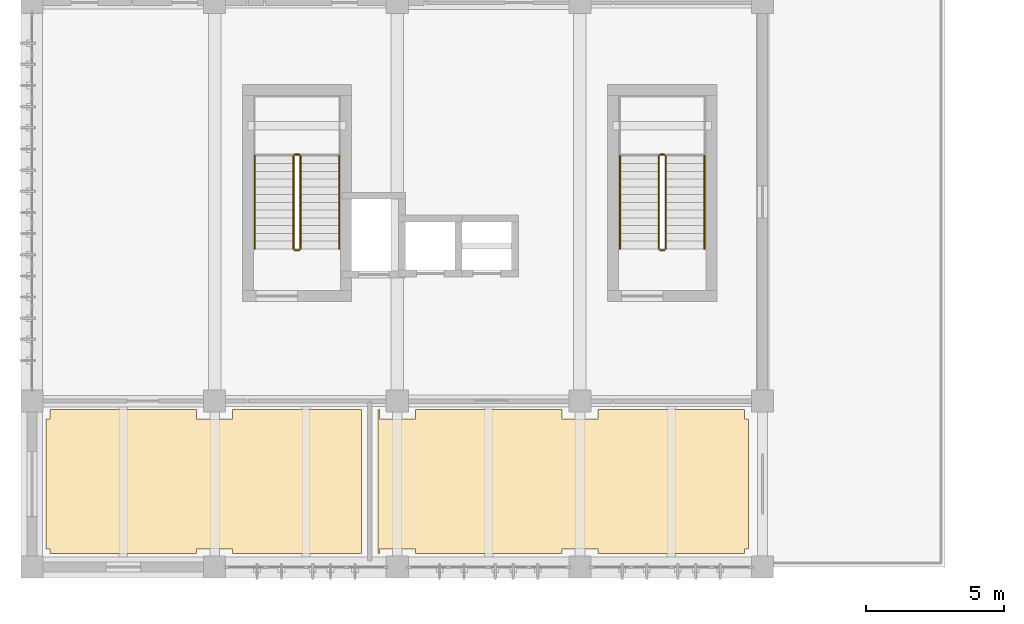
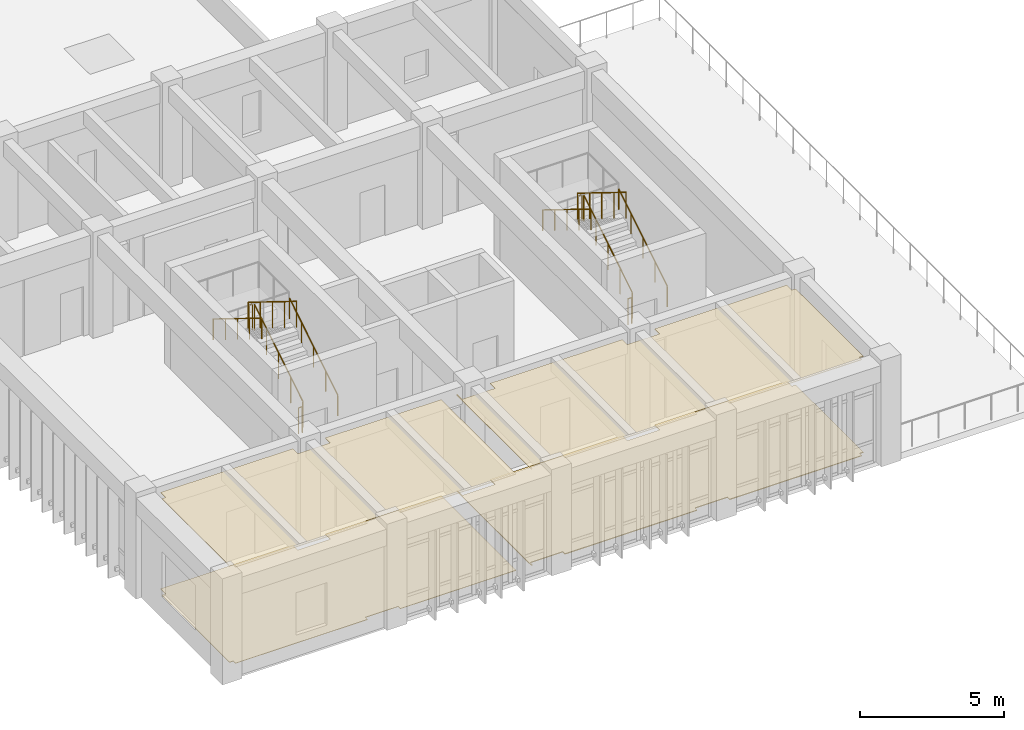
# One storey, part 17 of 18: 12 railings, 4 coverings.
"""IFC4 building model written with IfcOpenShell, lengths in metres."""

from ifc_helpers import new_model, si_unit, direction, frame, origin, origin_2d, place, context, subcontext, project, spatial, polyline, circle, outline, extrude, material, layer, layer_set, type_object, element, save


model = new_model("IFC4")

# Units and contexts
model_context = context("Model", 3, precision=1e-05, world=origin(), true_north=direction((0.0, 1.0)))
body_context = subcontext(model_context, "Body", "Model", "MODEL_VIEW")
ifc_project = project(units=[si_unit("LENGTHUNIT", "METRE"), si_unit("AREAUNIT", "SQUARE_METRE"), si_unit("VOLUMEUNIT", "CUBIC_METRE"), si_unit("PLANEANGLEUNIT", "RADIAN"), si_unit("MASSUNIT", "GRAM", prefix="KILO")], contexts=[model_context])

# Site, building, storey
site_placement = place(None, origin())
site = spatial("IfcSite", under=ifc_project, at=site_placement, CompositionType="ELEMENT")
building_placement = place(site_placement, origin())
building = spatial("IfcBuilding", under=site, at=building_placement, Name="Miralva Faculty of Natural Sciences", CompositionType="ELEMENT")
storey_placement = place(building_placement, frame((0.0, 0.0, 28.5)))
storey = spatial("IfcBuildingStorey", under=building, at=storey_placement, Name="L06", CompositionType="ELEMENT", Elevation=28.5)

# Coverings
ifc_material_1 = material(Name="Acoustic mineral-fibre board")
ifc_layer_1 = layer(ifc_material_1, 0.02197265625, Name="COV-CL01")
ifc_layer_set_1 = layer_set([ifc_layer_1], Name="Acoustic mineral-fibre board")
covering_type_1 = type_object("IfcCoveringType", Name="COV-CL01", PredefinedType="CEILING", material=ifc_layer_set_1)
covering_1_placement = place(storey_placement, frame((0.0, 0.0, 4.077880859375)))
element("IfcCovering", 1, at=covering_1_placement, inside=storey, type_object=covering_type_1, Name="Suspended acoustic ceiling L06-02", PredefinedType="CEILING", context=body_context, shape_type="SweptSolid", body=[
    extrude(outline(polyline([(15.5, 3.5), (15.5, 8.699951171875), (15.550048828125, 8.699951171875), (15.550048828125, 8.35009765625), (16.85009765625, 8.35009765625), (16.85009765625, 8.699951171875), (22.14990234375, 8.699951171875), (22.14990234375, 8.35009765625), (23.449951171875, 8.35009765625), (23.449951171875, 8.699951171875), (28.75, 8.699951171875), (28.75, 8.35009765625), (28.89990234375, 8.35009765625), (28.89990234375, 3.64990234375), (28.75, 3.64990234375), (28.75, 3.5), (23.449951171875, 3.5), (23.449951171875, 3.64990234375), (22.14990234375, 3.64990234375), (22.14990234375, 3.5), (16.85009765625, 3.5), (16.85009765625, 3.64990234375), (15.550048828125, 3.64990234375), (15.550048828125, 3.5), (15.5, 3.5)])), origin(), (0.0, 0.0, 1.0), 0.022216796875),
])
ifc_material_2 = material(Name="Gypsum plasterboard")
ifc_layer_2 = layer(ifc_material_2, 0.028076171875, Name="COV-CL02")
ifc_layer_set_2 = layer_set([ifc_layer_2], Name="Gypsum plasterboard")
covering_type_2 = type_object("IfcCoveringType", Name="COV-CL02", PredefinedType="CEILING", material=ifc_layer_set_2)
covering_2_placement = place(storey_placement, frame((0.0, 0.0, 4.072021484375)))
element("IfcCovering", 2, at=covering_2_placement, inside=storey, type_object=covering_type_2, Name="Suspended acoustic ceiling L06-01", PredefinedType="CEILING", context=body_context, shape_type="SweptSolid", body=[
    extrude(outline(polyline([(10.25, 3.5), (10.25, 3.64990234375), (8.949951171875, 3.64990234375), (8.949951171875, 3.5), (3.64990234375, 3.5), (3.64990234375, 3.64990234375), (3.5, 3.64990234375), (3.5, 8.35009765625), (3.64990234375, 8.35009765625), (3.64990234375, 8.699951171875), (8.949951171875, 8.699951171875), (8.949951171875, 8.35009765625), (10.25, 8.35009765625), (10.25, 8.699951171875), (14.89990234375, 8.699951171875), (14.89990234375, 3.5), (10.25, 3.5)])), origin(), (0.0, 0.0, 1.0), 0.028076171875),
])
ifc_material_3 = material(Name="Polished terrazzo flooring")
ifc_layer_3 = layer(ifc_material_3, 0.030029296875, Name="COV-FL01")
ifc_layer_set_3 = layer_set([ifc_layer_3], Name="Polished terrazzo flooring")
covering_type_3 = type_object("IfcCoveringType", Name="COV-FL01", PredefinedType="FLOORING", material=ifc_layer_set_3)
covering_3_placement = place(storey_placement, origin())
element("IfcCovering", 3, at=covering_3_placement, inside=storey, type_object=covering_type_3, Name="Finished flooring L06-02", PredefinedType="FLOORING", context=body_context, shape_type="SweptSolid", body=[
    extrude(outline(polyline([(15.5, 3.5), (15.5, 8.699951171875), (15.550048828125, 8.699951171875), (15.550048828125, 8.35009765625), (16.85009765625, 8.35009765625), (16.85009765625, 8.699951171875), (22.14990234375, 8.699951171875), (22.14990234375, 8.35009765625), (23.449951171875, 8.35009765625), (23.449951171875, 8.699951171875), (28.75, 8.699951171875), (28.75, 8.35009765625), (28.89990234375, 8.35009765625), (28.89990234375, 3.64990234375), (28.75, 3.64990234375), (28.75, 3.5), (23.449951171875, 3.5), (23.449951171875, 3.64990234375), (22.14990234375, 3.64990234375), (22.14990234375, 3.5), (16.85009765625, 3.5), (16.85009765625, 3.64990234375), (15.550048828125, 3.64990234375), (15.550048828125, 3.5), (15.5, 3.5)])), origin(), (0.0, 0.0, 1.0), 0.030029296875),
])
ifc_layer_4 = layer(ifc_material_3, 0.01806640625, Name="COV-FL02")
ifc_layer_set_4 = layer_set([ifc_layer_4], Name="Polished terrazzo flooring")
covering_type_4 = type_object("IfcCoveringType", Name="COV-FL02", PredefinedType="FLOORING", material=ifc_layer_set_4)
covering_4_placement = place(storey_placement, origin())
element("IfcCovering", 4, at=covering_4_placement, inside=storey, type_object=covering_type_4, Name="Finished flooring L06-01", PredefinedType="FLOORING", context=body_context, shape_type="SweptSolid", body=[
    extrude(outline(polyline([(10.25, 3.5), (10.25, 3.64990234375), (8.949951171875, 3.64990234375), (8.949951171875, 3.5), (3.64990234375, 3.5), (3.64990234375, 3.64990234375), (3.5, 3.64990234375), (3.5, 8.35009765625), (3.64990234375, 8.35009765625), (3.64990234375, 8.699951171875), (8.949951171875, 8.699951171875), (8.949951171875, 8.35009765625), (10.25, 8.35009765625), (10.25, 8.699951171875), (14.89990234375, 8.699951171875), (14.89990234375, 3.5), (10.25, 3.5)])), origin(), (0.0, 0.0, 1.0), 0.01806640625),
])

# Railings
ifc_material_4 = material(Name="Steel S355", Category="steel")
railing_type_1 = type_object("IfcRailingType", Name="RL-GR01", PredefinedType="GUARDRAIL", material=ifc_material_4)
railing_1_placement = place(storey_placement, frame((12.699951171875, 14.5, 0.173095703125)))
element("IfcRailing", 5, at=railing_1_placement, inside=storey, type_object=railing_type_1, Name="Stair Core C1 safety guard L06-1", PredefinedType="GUARDRAIL", context=body_context, shape_type="SweptSolid", body=[
    extrude(circle(Radius=0.02392578125, at=origin_2d()), frame((0.0, 0.0, 1.09619140625), z_axis=(0.0, 0.850623216509, 0.525775754039), x_axis=(-1.0, 0.0, 0.0)), (0.0, 0.0, 1.0), 3.9501953125),
    extrude(circle(Radius=0.02099609375, at=origin_2d()), origin(), (0.0, 0.0, 1.0), 1.072021484375),
    extrude(circle(Radius=0.02099609375, at=origin_2d()), frame((0.0, 0.840087890625, 0.519287109375)), (0.0, 0.0, 1.0), 1.072021484375),
    extrude(circle(Radius=0.02099609375, at=origin_2d()), frame((0.0, 1.68017578125, 1.03857421875)), (0.0, 0.0, 1.0), 1.072021484375),
    extrude(circle(Radius=0.02099609375, at=origin_2d()), frame((0.0, 2.52001953125, 1.5576171875)), (0.0, 0.0, 1.0), 1.072021484375),
    extrude(circle(Radius=0.02099609375, at=origin_2d()), frame((0.0, 3.360107421875, 2.076904296875)), (0.0, 0.0, 1.0), 1.072021484375),
])
railing_2_placement = place(storey_placement, frame((12.64990234375, 17.909912109375, 2.25)))
element("IfcRailing", 6, at=railing_2_placement, inside=storey, type_object=railing_type_1, Name="Stair Core C1 safety guard L06-2", PredefinedType="GUARDRAIL", context=body_context, shape_type="SweptSolid", body=[
    extrude(circle(Radius=0.02392578125, at=origin_2d()), frame((0.0, 0.0, 1.09619140625), z_axis=(-1.0, 0.0, 0.0), x_axis=(0.0, -1.0, 0.0)), (0.0, 0.0, 1.0), 0.14990234375),
    extrude(circle(Radius=0.02099609375, at=origin_2d()), origin(), (0.0, 0.0, 1.0), 1.072021484375),
    extrude(circle(Radius=0.02099609375, at=origin_2d()), frame((-0.14990234375, 0.0, 0.0)), (0.0, 0.0, 1.0), 1.072021484375),
])
railing_3_placement = place(storey_placement, frame((12.449951171875, 17.860107421875, 2.423095703125)))
element("IfcRailing", 7, at=railing_3_placement, inside=storey, type_object=railing_type_1, Name="Stair Core C1 safety guard L06-3", PredefinedType="GUARDRAIL", context=body_context, shape_type="SweptSolid", body=[
    extrude(circle(Radius=0.02392578125, at=origin_2d()), frame((0.0, 0.0, 1.09619140625), z_axis=(0.0, -0.850623216509, 0.525775754039), x_axis=(1.0, 0.0, 0.0)), (0.0, 0.0, 1.0), 3.9501953125),
    extrude(circle(Radius=0.02099609375, at=origin_2d()), origin(), (0.0, 0.0, 1.0), 1.072021484375),
    extrude(circle(Radius=0.02099609375, at=origin_2d()), frame((0.0, -0.840087890625, 0.519287109375)), (0.0, 0.0, 1.0), 1.072021484375),
    extrude(circle(Radius=0.02099609375, at=origin_2d()), frame((0.0, -1.68017578125, 1.03857421875)), (0.0, 0.0, 1.0), 1.072021484375),
    extrude(circle(Radius=0.02099609375, at=origin_2d()), frame((0.0, -2.52001953125, 1.5576171875)), (0.0, 0.0, 1.0), 1.072021484375),
    extrude(circle(Radius=0.02099609375, at=origin_2d()), frame((0.0, -3.360107421875, 2.076904296875)), (0.0, 0.0, 1.0), 1.072021484375),
])
railing_4_placement = place(storey_placement, frame((12.64990234375, 14.449951171875, 0.0)))
element("IfcRailing", 8, at=railing_4_placement, inside=storey, type_object=railing_type_1, Name="Stair Core C1 safety guard L06-4", PredefinedType="GUARDRAIL", context=body_context, shape_type="SweptSolid", body=[
    extrude(circle(Radius=0.02392578125, at=origin_2d()), frame((0.0, 0.0, 1.09619140625), z_axis=(-1.0, 0.0, 0.0), x_axis=(0.0, -1.0, 0.0)), (0.0, 0.0, 1.0), 0.14990234375),
    extrude(circle(Radius=0.02099609375, at=origin_2d()), origin(), (0.0, 0.0, 1.0), 1.072021484375),
    extrude(circle(Radius=0.02099609375, at=origin_2d()), frame((-0.14990234375, 0.0, 0.0)), (0.0, 0.0, 1.0), 1.072021484375),
])
railing_5_placement = place(storey_placement, frame((25.89990234375, 14.5, 0.173095703125)))
element("IfcRailing", 9, at=railing_5_placement, inside=storey, type_object=railing_type_1, Name="Stair Core C1B safety guard L06-1", PredefinedType="GUARDRAIL", context=body_context, shape_type="SweptSolid", body=[
    extrude(circle(Radius=0.02392578125, at=origin_2d()), frame((0.0, 0.0, 1.09619140625), z_axis=(0.0, 0.850623216509, 0.525775754039), x_axis=(-1.0, 0.0, 0.0)), (0.0, 0.0, 1.0), 3.9501953125),
    extrude(circle(Radius=0.02099609375, at=origin_2d()), origin(), (0.0, 0.0, 1.0), 1.072021484375),
    extrude(circle(Radius=0.02099609375, at=origin_2d()), frame((0.0, 0.840087890625, 0.519287109375)), (0.0, 0.0, 1.0), 1.072021484375),
    extrude(circle(Radius=0.02099609375, at=origin_2d()), frame((0.0, 1.68017578125, 1.03857421875)), (0.0, 0.0, 1.0), 1.072021484375),
    extrude(circle(Radius=0.02099609375, at=origin_2d()), frame((0.0, 2.52001953125, 1.5576171875)), (0.0, 0.0, 1.0), 1.072021484375),
    extrude(circle(Radius=0.02099609375, at=origin_2d()), frame((0.0, 3.360107421875, 2.076904296875)), (0.0, 0.0, 1.0), 1.072021484375),
])
railing_6_placement = place(storey_placement, frame((25.85009765625, 17.909912109375, 2.25)))
element("IfcRailing", 10, at=railing_6_placement, inside=storey, type_object=railing_type_1, Name="Stair Core C1B safety guard L06-2", PredefinedType="GUARDRAIL", context=body_context, shape_type="SweptSolid", body=[
    extrude(circle(Radius=0.02392578125, at=origin_2d()), frame((0.0, 0.0, 1.09619140625), z_axis=(-1.0, 0.0, 0.0), x_axis=(0.0, -1.0, 0.0)), (0.0, 0.0, 1.0), 0.150146484375),
    extrude(circle(Radius=0.02099609375, at=origin_2d()), origin(), (0.0, 0.0, 1.0), 1.072021484375),
    extrude(circle(Radius=0.02099609375, at=origin_2d()), frame((-0.150146484375, 0.0, 0.0)), (0.0, 0.0, 1.0), 1.072021484375),
])
railing_7_placement = place(storey_placement, frame((25.64990234375, 17.860107421875, 2.423095703125)))
element("IfcRailing", 11, at=railing_7_placement, inside=storey, type_object=railing_type_1, Name="Stair Core C1B safety guard L06-3", PredefinedType="GUARDRAIL", context=body_context, shape_type="SweptSolid", body=[
    extrude(circle(Radius=0.02392578125, at=origin_2d()), frame((0.0, 0.0, 1.09619140625), z_axis=(0.0, -0.850623216509, 0.525775754039), x_axis=(1.0, 0.0, 0.0)), (0.0, 0.0, 1.0), 3.9501953125),
    extrude(circle(Radius=0.02099609375, at=origin_2d()), origin(), (0.0, 0.0, 1.0), 1.072021484375),
    extrude(circle(Radius=0.02099609375, at=origin_2d()), frame((0.0, -0.840087890625, 0.519287109375)), (0.0, 0.0, 1.0), 1.072021484375),
    extrude(circle(Radius=0.02099609375, at=origin_2d()), frame((0.0, -1.68017578125, 1.03857421875)), (0.0, 0.0, 1.0), 1.072021484375),
    extrude(circle(Radius=0.02099609375, at=origin_2d()), frame((0.0, -2.52001953125, 1.5576171875)), (0.0, 0.0, 1.0), 1.072021484375),
    extrude(circle(Radius=0.02099609375, at=origin_2d()), frame((0.0, -3.360107421875, 2.076904296875)), (0.0, 0.0, 1.0), 1.072021484375),
])
railing_8_placement = place(storey_placement, frame((25.85009765625, 14.449951171875, 0.0)))
element("IfcRailing", 12, at=railing_8_placement, inside=storey, type_object=railing_type_1, Name="Stair Core C1B safety guard L06-4", PredefinedType="GUARDRAIL", context=body_context, shape_type="SweptSolid", body=[
    extrude(circle(Radius=0.02392578125, at=origin_2d()), frame((0.0, 0.0, 1.09619140625), z_axis=(-1.0, 0.0, 0.0), x_axis=(0.0, -1.0, 0.0)), (0.0, 0.0, 1.0), 0.150146484375),
    extrude(circle(Radius=0.02099609375, at=origin_2d()), origin(), (0.0, 0.0, 1.0), 1.072021484375),
    extrude(circle(Radius=0.02099609375, at=origin_2d()), frame((-0.150146484375, 0.0, 0.0)), (0.0, 0.0, 1.0), 1.072021484375),
])
railing_type_2 = type_object("IfcRailingType", Name="RL-HR01", PredefinedType="HANDRAIL", material=ifc_material_4)
railing_9_placement = place(storey_placement, frame((14.10009765625, 14.5, 0.173095703125)))
element("IfcRailing", 13, at=railing_9_placement, inside=storey, type_object=railing_type_2, Name="Stair Core C1 handrail L06-1", PredefinedType="HANDRAIL", context=body_context, shape_type="SweptSolid", body=[
    extrude(circle(Radius=0.02392578125, at=origin_2d()), frame((0.0, 0.0, 0.8759765625), z_axis=(0.0, 0.850623216509, 0.525775754039), x_axis=(-1.0, 0.0, 0.0)), (0.0, 0.0, 1.0), 3.9501953125),
    extrude(circle(Radius=0.02099609375, at=origin_2d()), origin(), (0.0, 0.0, 1.0), 0.851806640625),
    extrude(circle(Radius=0.02099609375, at=origin_2d()), frame((0.0, 0.840087890625, 0.519287109375)), (0.0, 0.0, 1.0), 0.851806640625),
    extrude(circle(Radius=0.02099609375, at=origin_2d()), frame((0.0, 1.68017578125, 1.03857421875)), (0.0, 0.0, 1.0), 0.851806640625),
    extrude(circle(Radius=0.02099609375, at=origin_2d()), frame((0.0, 2.52001953125, 1.5576171875)), (0.0, 0.0, 1.0), 0.851806640625),
    extrude(circle(Radius=0.02099609375, at=origin_2d()), frame((0.0, 3.360107421875, 2.076904296875)), (0.0, 0.0, 1.0), 0.851806640625),
])
railing_10_placement = place(storey_placement, frame((11.050048828125, 17.860107421875, 2.423095703125)))
element("IfcRailing", 14, at=railing_10_placement, inside=storey, type_object=railing_type_2, Name="Stair Core C1 handrail L06-2", PredefinedType="HANDRAIL", context=body_context, shape_type="SweptSolid", body=[
    extrude(circle(Radius=0.02392578125, at=origin_2d()), frame((0.0, 0.0, 0.8759765625), z_axis=(0.0, -0.850623216509, 0.525775754039), x_axis=(1.0, 0.0, 0.0)), (0.0, 0.0, 1.0), 3.9501953125),
    extrude(circle(Radius=0.02099609375, at=origin_2d()), origin(), (0.0, 0.0, 1.0), 0.851806640625),
    extrude(circle(Radius=0.02099609375, at=origin_2d()), frame((0.0, -0.840087890625, 0.519287109375)), (0.0, 0.0, 1.0), 0.851806640625),
    extrude(circle(Radius=0.02099609375, at=origin_2d()), frame((0.0, -1.68017578125, 1.03857421875)), (0.0, 0.0, 1.0), 0.851806640625),
    extrude(circle(Radius=0.02099609375, at=origin_2d()), frame((0.0, -2.52001953125, 1.5576171875)), (0.0, 0.0, 1.0), 0.851806640625),
    extrude(circle(Radius=0.02099609375, at=origin_2d()), frame((0.0, -3.360107421875, 2.076904296875)), (0.0, 0.0, 1.0), 0.851806640625),
])
railing_11_placement = place(storey_placement, frame((27.300048828125, 14.5, 0.173095703125)))
element("IfcRailing", 15, at=railing_11_placement, inside=storey, type_object=railing_type_2, Name="Stair Core C1B handrail L06-1", PredefinedType="HANDRAIL", context=body_context, shape_type="SweptSolid", body=[
    extrude(circle(Radius=0.02392578125, at=origin_2d()), frame((0.0, 0.0, 0.8759765625), z_axis=(0.0, 0.850623216509, 0.525775754039), x_axis=(-1.0, 0.0, 0.0)), (0.0, 0.0, 1.0), 3.9501953125),
    extrude(circle(Radius=0.02099609375, at=origin_2d()), origin(), (0.0, 0.0, 1.0), 0.851806640625),
    extrude(circle(Radius=0.02099609375, at=origin_2d()), frame((0.0, 0.840087890625, 0.519287109375)), (0.0, 0.0, 1.0), 0.851806640625),
    extrude(circle(Radius=0.02099609375, at=origin_2d()), frame((0.0, 1.68017578125, 1.03857421875)), (0.0, 0.0, 1.0), 0.851806640625),
    extrude(circle(Radius=0.02099609375, at=origin_2d()), frame((0.0, 2.52001953125, 1.5576171875)), (0.0, 0.0, 1.0), 0.851806640625),
    extrude(circle(Radius=0.02099609375, at=origin_2d()), frame((0.0, 3.360107421875, 2.076904296875)), (0.0, 0.0, 1.0), 0.851806640625),
])
railing_12_placement = place(storey_placement, frame((24.25, 17.860107421875, 2.423095703125)))
element("IfcRailing", 16, at=railing_12_placement, inside=storey, type_object=railing_type_2, Name="Stair Core C1B handrail L06-2", PredefinedType="HANDRAIL", context=body_context, shape_type="SweptSolid", body=[
    extrude(circle(Radius=0.02392578125, at=origin_2d()), frame((0.0, 0.0, 0.8759765625), z_axis=(0.0, -0.850623216509, 0.525775754039), x_axis=(1.0, 0.0, 0.0)), (0.0, 0.0, 1.0), 3.9501953125),
    extrude(circle(Radius=0.02099609375, at=origin_2d()), origin(), (0.0, 0.0, 1.0), 0.851806640625),
    extrude(circle(Radius=0.02099609375, at=origin_2d()), frame((0.0, -0.840087890625, 0.519287109375)), (0.0, 0.0, 1.0), 0.851806640625),
    extrude(circle(Radius=0.02099609375, at=origin_2d()), frame((0.0, -1.68017578125, 1.03857421875)), (0.0, 0.0, 1.0), 0.851806640625),
    extrude(circle(Radius=0.02099609375, at=origin_2d()), frame((0.0, -2.52001953125, 1.5576171875)), (0.0, 0.0, 1.0), 0.851806640625),
    extrude(circle(Radius=0.02099609375, at=origin_2d()), frame((0.0, -3.360107421875, 2.076904296875)), (0.0, 0.0, 1.0), 0.851806640625),
])

save(model, "model.ifc")
